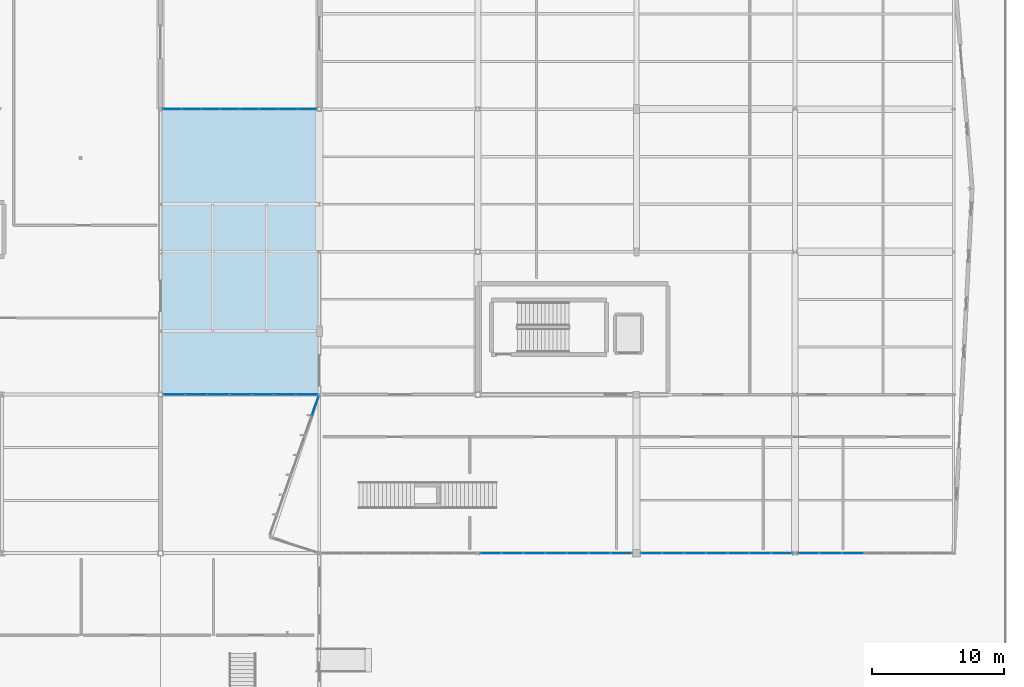
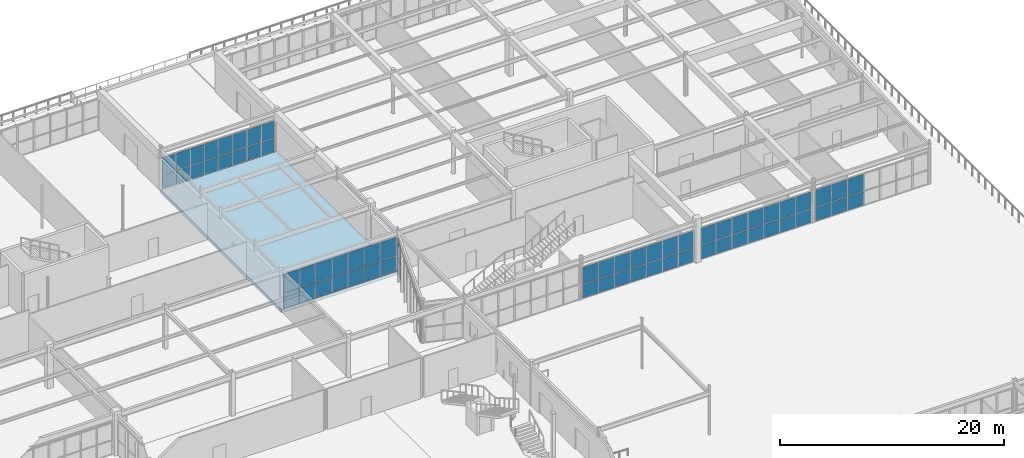
# One storey, part 126 of 199: 66 plates, 1 slab, 6 elements without a shape of their own.
"""IFC4 building model written with IfcOpenShell, lengths in metres."""

import ifcopenshell
import ifcopenshell.guid

model = None  # the IFC model being written
_history = None  # IfcOwnerHistory: only IFC2X3 demands one
_inside = {}  # id of a spatial element -> (the spatial element, [elements in it])
_under = {}  # id of a project, library or spatial element -> (it, [spatial elements below it])
_declared = {}  # id of a project -> (the project, [libraries it declares])
_typed = {}  # id of a type object -> (the type object, [elements of that type])
_made_of = {}  # id of a material, layer set ... -> (it, [elements and type objects made of it])


def new_model(schema):
    """Start an empty IFC model of exactly this schema.

    Asked for "IFC4X3", IfcOpenShell would pick the latest addendum, in which some entities
    have other attributes; the version numbers below select the first issue.
    IFC2X3 requires an IfcOwnerHistory on every rooted entity: one is made here for all.
    """
    global model, _history
    if schema == "IFC4X3":
        model = ifcopenshell.file(schema_version=(4, 3, 0, 0))
    else:
        model = ifcopenshell.file(schema=schema)
    _inside.clear()
    _under.clear()
    _declared.clear()
    _typed.clear()
    _made_of.clear()
    _history = None
    if model.schema == "IFC2X3":
        org = make("IfcOrganization", Name="unknown")
        user = make(
            "IfcPersonAndOrganization",
            ThePerson=make("IfcPerson", FamilyName="unknown"),
            TheOrganization=org,
        )
        app = make(
            "IfcApplication",
            ApplicationDeveloper=org,
            Version="unknown",
            ApplicationFullName="unknown",
            ApplicationIdentifier="unknown",
        )
        _history = make(
            "IfcOwnerHistory",
            OwningUser=user,
            OwningApplication=app,
            ChangeAction="ADDED",
            CreationDate=0,
        )
    return model


def make(cls, **values):
    """One entity of the class cls with the attributes given. An attribute that is None is left unset."""
    return model.create_entity(
        cls, **{name: value for name, value in values.items() if value is not None}
    )


def rooted(cls, **values):
    """An entity with a GlobalId (a new one), such as an element, a storey or a relation."""
    return make(cls, GlobalId=ifcopenshell.guid.new(), OwnerHistory=_history, **values)


def si_unit(unit_type, name, prefix=None):
    """IfcSIUnit, for example si_unit("LENGTHUNIT", "METRE", prefix="MILLI")."""
    return make("IfcSIUnit", UnitType=unit_type, Prefix=prefix, Name=name)


def assignment(units):
    """IfcUnitAssignment: the units of a project."""
    return None if units is None else make("IfcUnitAssignment", Units=units)


def point(xyz):
    """IfcCartesianPoint."""
    return None if xyz is None else make("IfcCartesianPoint", Coordinates=xyz)


def direction(xyz):
    """IfcDirection."""
    return None if xyz is None else make("IfcDirection", DirectionRatios=xyz)


def frame(location, z_axis=None, x_axis=None):
    """IfcAxis2Placement3D, a coordinate frame: its origin and axes. An axis left out is left unset."""
    return make(
        "IfcAxis2Placement3D",
        Location=point(location),
        Axis=direction(z_axis),
        RefDirection=direction(x_axis),
    )


def frame_2d(location, x_axis=None):
    """IfcAxis2Placement2D, a coordinate frame in the plane: its origin and x axis."""
    return make(
        "IfcAxis2Placement2D", Location=point(location), RefDirection=direction(x_axis)
    )


def origin():
    """The frame at (0, 0, 0) with its axes left unset."""
    return frame((0.0, 0.0, 0.0))


def origin_2d():
    """The frame at (0, 0) in the plane with its x axis left unset."""
    return frame_2d((0.0, 0.0))


def place(relative_to, where):
    """IfcLocalPlacement: puts the frame where relative to a parent placement (None: the world)."""
    return make(
        "IfcLocalPlacement", PlacementRelTo=relative_to, RelativePlacement=where
    )


def context(
    kind, dimensions, precision=None, world=None, true_north=None, identifier=None
):
    """IfcGeometricRepresentationContext, for example the 3D "Model" context."""
    return make(
        "IfcGeometricRepresentationContext",
        ContextIdentifier=identifier,
        ContextType=kind,
        CoordinateSpaceDimension=dimensions,
        Precision=precision,
        WorldCoordinateSystem=world,
        TrueNorth=true_north,
    )


def subcontext(parent, identifier, kind, view, scale=None):
    """IfcGeometricRepresentationSubContext, for example "Body" below "Model"."""
    return make(
        "IfcGeometricRepresentationSubContext",
        ContextIdentifier=identifier,
        ContextType=kind,
        ParentContext=parent,
        TargetScale=scale,
        TargetView=view,
    )


def project(units=None, contexts=None):
    """IfcProject with its units and contexts."""
    return rooted(
        "IfcProject",
        Name="project",
        RepresentationContexts=contexts,
        UnitsInContext=assignment(units),
    )


def spatial(cls, under=None, at=None, **own):
    """A site, building, storey or space (cls), placed at a placement, below another one or the project."""
    s = rooted(cls, ObjectPlacement=at, **own)
    if under is not None:
        _under.setdefault(under.id(), (under, []))[1].append(s)
    return s


def polyline(points):
    """IfcPolyline through the points."""
    return make("IfcPolyline", Points=[point(p) for p in points])


def profile(cls, at=None, kind="AREA", **sizes):
    """A parametric profile (cls). Its sizes go by their IFC names, for example OverallWidth=200.0."""
    return make(cls, ProfileType=kind, Position=at, **sizes)


def rectangle(**sizes):
    """IfcRectangleProfileDef."""
    return profile("IfcRectangleProfileDef", **sizes)


def outline(outer, holes=None, kind="AREA"):
    """IfcArbitraryClosedProfileDef: a profile drawn as a closed curve; with holes, ...WithVoids."""
    if holes is None:
        return make("IfcArbitraryClosedProfileDef", ProfileType=kind, OuterCurve=outer)
    return make(
        "IfcArbitraryProfileDefWithVoids",
        ProfileType=kind,
        OuterCurve=outer,
        InnerCurves=holes,
    )


def extrude(swept, where, along, depth):
    """IfcExtrudedAreaSolid: the profile swept, set in the frame where, extruded along a direction by depth."""
    return make(
        "IfcExtrudedAreaSolid",
        SweptArea=swept,
        Position=where,
        ExtrudedDirection=direction(along),
        Depth=depth,
    )


def shape(context_of_items, identifier, shape_type, items):
    """IfcShapeRepresentation: the items that make up one representation, for example the "Body"."""
    return make(
        "IfcShapeRepresentation",
        ContextOfItems=context_of_items,
        RepresentationIdentifier=identifier,
        RepresentationType=shape_type,
        Items=items,
    )


def material(Name=None, Category=None):
    """IfcMaterial."""
    return make("IfcMaterial", Name=Name, Category=Category)


def layer(
    of_material, thickness, ventilated=None, Name=None, Category=None, Priority=None
):
    """IfcMaterialLayer: one layer of a wall or slab, of a material (None: an air gap)."""
    return make(
        "IfcMaterialLayer",
        Material=of_material,
        LayerThickness=thickness,
        IsVentilated=ventilated,
        Name=Name,
        Category=Category,
        Priority=Priority,
    )


def layer_set(layers, Name=None):
    """IfcMaterialLayerSet."""
    return make("IfcMaterialLayerSet", MaterialLayers=layers, LayerSetName=Name)


def made_of(thing, what):
    """Note that an element or type object is made of a material, layer set ...; save() writes the relation."""
    if what is not None:
        _made_of.setdefault(what.id(), (what, []))[1].append(thing)
    return thing


def type_object(cls, material=None, **own):
    """A type object (cls), such as IfcWallType, which elements share."""
    return made_of(rooted(cls, **own), material)


def element(
    cls,
    number,
    at=None,
    inside=None,
    cuts=None,
    type_object=None,
    material=None,
    context=None,
    identifier="Body",
    shape_type=None,
    held_by="IfcProductDefinitionShape",
    body=None,
    shapes=None,
    **own,
):
    """One element of the class cls, such as IfcWall. Its Tag is "e" and its number.

    at: its placement. inside: the storey or other place that contains it. cuts: it is an
    opening in that element (IfcRelVoidsElement). A single representation is given by context,
    identifier, shape_type and body (its items); several are given by shapes. held_by: the class
    of the entity that holds the representations. save() writes the other relations.
    """
    e = rooted(cls, Tag="e%d" % number, ObjectPlacement=at, **own)
    if body is not None:
        shapes = [shape(context, identifier, shape_type, body)]
    if shapes is not None:
        e.Representation = make(held_by, Representations=shapes)
    if inside is not None:
        _inside.setdefault(inside.id(), (inside, []))[1].append(e)
    if cuts is not None:
        rooted(
            "IfcRelVoidsElement", RelatingBuildingElement=cuts, RelatedOpeningElement=e
        )
    if type_object is not None:
        _typed.setdefault(type_object.id(), (type_object, []))[1].append(e)
    return made_of(e, material)


def aggregate(whole, parts):
    """IfcRelAggregates: a whole, such as a stair, and the parts it consists of."""
    return rooted("IfcRelAggregates", RelatingObject=whole, RelatedObjects=parts)


def save(model, path):
    """Write the relations noted so far, then the file.

    IfcRelAggregates (storeys below a building ...), IfcRelContainedInSpatialStructure (elements
    in a storey), IfcRelDefinesByType, IfcRelAssociatesMaterial and IfcRelDeclares: one each for
    every whole, place, type object, material and project.
    """
    for whole, parts in _under.values():
        aggregate(whole, parts)
    for where, things in _inside.values():
        rooted(
            "IfcRelContainedInSpatialStructure",
            RelatedElements=things,
            RelatingStructure=where,
        )
    for kind, things in _typed.values():
        rooted("IfcRelDefinesByType", RelatedObjects=things, RelatingType=kind)
    for what, things in _made_of.values():
        rooted("IfcRelAssociatesMaterial", RelatedObjects=things, RelatingMaterial=what)
    for by, libraries in _declared.values():
        rooted("IfcRelDeclares", RelatingContext=by, RelatedDefinitions=libraries)
    model.write(path)


model = new_model("IFC4")

# Units and contexts
model_context = context("Model", 3, precision=1e-05, world=origin(), true_north=direction((0.0, 1.0)))
body_context = subcontext(model_context, "Body", "Model", "MODEL_VIEW")
ifc_project = project(units=[si_unit("LENGTHUNIT", "METRE"), si_unit("AREAUNIT", "SQUARE_METRE"), si_unit("VOLUMEUNIT", "CUBIC_METRE"), si_unit("PLANEANGLEUNIT", "RADIAN"), si_unit("MASSUNIT", "GRAM", prefix="KILO")], contexts=[model_context])

# Site, building, storey
site_placement = place(None, origin())
site = spatial("IfcSite", under=ifc_project, at=site_placement, CompositionType="ELEMENT")
building_placement = place(site_placement, origin())
building = spatial("IfcBuilding", under=site, at=building_placement, Name="Tarnwether General Hospital", CompositionType="ELEMENT")
storey_placement = place(building_placement, origin())
storey = spatial("IfcBuildingStorey", under=building, at=storey_placement, Name="L00", CompositionType="ELEMENT", Elevation=0.0)

# Curtain wall, plates
ifc_material_1 = material(Name="Anodised aluminium", Category="aluminium")
ifc_layer_1 = layer(ifc_material_1, 0.159912109375)
ifc_layer_set_1 = layer_set([ifc_layer_1], Name="Anodised aluminium")
curtain_wall_type_1 = type_object("IfcCurtainWallType", Name="CW-20", PredefinedType="NOTDEFINED", material=ifc_layer_set_1)
curtain_wall_1_placement = place(storey_placement, origin())
curtain_wall_1 = element("IfcCurtainWall", 1, at=curtain_wall_1_placement, inside=storey, type_object=curtain_wall_type_1, Name="Curtain Wall CWG-L00-1919_816-0290", PredefinedType="NOTDEFINED")
ifc_material_2 = material(Name="Double glazed low-E glass", Category="glass")
ifc_layer_2 = layer(ifc_material_2, 0.028076171875)
ifc_layer_set_2 = layer_set([ifc_layer_2], Name="Double glazed low-E glass")
plate_type = type_object("IfcPlateType", Name="PT-CWP1", PredefinedType="CURTAIN_PANEL", material=ifc_layer_set_2)
plate_1_placement = place(storey_placement, frame((184.36376953125, 81.60009765625, 0.06005859375), z_axis=(0.0, 0.0, 1.0), x_axis=(-1.0, 0.0, 0.0)))
plate_1 = element("IfcPlate", 2, at=plate_1_placement, type_object=plate_type, Name="CW-20 panel 5.1", PredefinedType="CURTAIN_PANEL", context=body_context, shape_type="SweptSolid", body=[
    extrude(rectangle(XDim=1.6181640625, YDim=0.028076171875, at=origin_2d()), origin(), (0.0, 0.0, 1.0), 1.49853515625),
])
plate_2_placement = place(storey_placement, frame((184.36376953125, 81.60009765625, 1.618408203125), z_axis=(0.0, 0.0, 1.0), x_axis=(-1.0, 0.0, 0.0)))
plate_2 = element("IfcPlate", 3, at=plate_2_placement, type_object=plate_type, Name="CW-20 panel 5.2", PredefinedType="CURTAIN_PANEL", context=body_context, shape_type="SweptSolid", body=[
    extrude(rectangle(XDim=1.6181640625, YDim=0.028076171875, at=origin_2d()), origin(), (0.0, 0.0, 1.0), 1.8515625),
])
plate_3_placement = place(storey_placement, frame((182.685546875, 81.60009765625, 0.06005859375), z_axis=(0.0, 0.0, 1.0), x_axis=(-1.0, 0.0, 0.0)))
plate_3 = element("IfcPlate", 4, at=plate_3_placement, type_object=plate_type, Name="CW-20 panel 6.1", PredefinedType="CURTAIN_PANEL", context=body_context, shape_type="SweptSolid", body=[
    extrude(rectangle(XDim=1.6181640625, YDim=0.028076171875, at=origin_2d()), origin(), (0.0, 0.0, 1.0), 1.49853515625),
])
plate_4_placement = place(storey_placement, frame((182.685546875, 81.60009765625, 1.618408203125), z_axis=(0.0, 0.0, 1.0), x_axis=(-1.0, 0.0, 0.0)))
plate_4 = element("IfcPlate", 5, at=plate_4_placement, type_object=plate_type, Name="CW-20 panel 6.2", PredefinedType="CURTAIN_PANEL", context=body_context, shape_type="SweptSolid", body=[
    extrude(rectangle(XDim=1.6181640625, YDim=0.028076171875, at=origin_2d()), origin(), (0.0, 0.0, 1.0), 1.8515625),
])
plate_5_placement = place(storey_placement, frame((181.022216796875, 81.60009765625, 0.06005859375), z_axis=(0.0, 0.0, 1.0), x_axis=(-1.0, 0.0, 0.0)))
plate_5 = element("IfcPlate", 6, at=plate_5_placement, type_object=plate_type, Name="CW-20 panel 7.1", PredefinedType="CURTAIN_PANEL", context=body_context, shape_type="SweptSolid", body=[
    extrude(rectangle(XDim=1.58837890625, YDim=0.028076171875, at=origin_2d()), origin(), (0.0, 0.0, 1.0), 1.49853515625),
])
plate_6_placement = place(storey_placement, frame((181.022216796875, 81.60009765625, 1.618408203125), z_axis=(0.0, 0.0, 1.0), x_axis=(-1.0, 0.0, 0.0)))
plate_6 = element("IfcPlate", 7, at=plate_6_placement, type_object=plate_type, Name="CW-20 panel 7.2", PredefinedType="CURTAIN_PANEL", context=body_context, shape_type="SweptSolid", body=[
    extrude(rectangle(XDim=1.58837890625, YDim=0.028076171875, at=origin_2d()), origin(), (0.0, 0.0, 1.0), 1.8515625),
])
aggregate(curtain_wall_1, [plate_1, plate_2, plate_3, plate_4, plate_5, plate_6])

curtain_wall_2_placement = place(storey_placement, origin())
curtain_wall_2 = element("IfcCurtainWall", 8, at=curtain_wall_2_placement, inside=storey, type_object=curtain_wall_type_1, Name="Curtain Wall CWG-L00-1798_816-0291", PredefinedType="NOTDEFINED")
plate_7_placement = place(storey_placement, frame((178.993896484375, 81.60009765625, 0.06005859375), z_axis=(0.0, 0.0, 1.0), x_axis=(-1.0, 0.0, 0.0)))
plate_7 = element("IfcPlate", 9, at=plate_7_placement, type_object=plate_type, Name="CW-20 panel 1.1", PredefinedType="CURTAIN_PANEL", context=body_context, shape_type="SweptSolid", body=[
    extrude(rectangle(XDim=1.556396484375, YDim=0.028076171875, at=origin_2d()), origin(), (0.0, 0.0, 1.0), 1.47607421875),
])
plate_8_placement = place(storey_placement, frame((178.993896484375, 81.60009765625, 1.59619140625), z_axis=(0.0, 0.0, 1.0), x_axis=(-1.0, 0.0, 0.0)))
plate_8 = element("IfcPlate", 10, at=plate_8_placement, type_object=plate_type, Name="CW-20 panel 1.2", PredefinedType="CURTAIN_PANEL", context=body_context, shape_type="SweptSolid", body=[
    extrude(rectangle(XDim=1.556396484375, YDim=0.028076171875, at=origin_2d()), origin(), (0.0, 0.0, 1.0), 1.823974609375),
])
plate_9_placement = place(storey_placement, frame((177.362548828125, 81.60009765625, 0.06005859375), z_axis=(0.0, 0.0, 1.0), x_axis=(-1.0, 0.0, 0.0)))
plate_9 = element("IfcPlate", 11, at=plate_9_placement, type_object=plate_type, Name="CW-20 panel 2.1", PredefinedType="CURTAIN_PANEL", context=body_context, shape_type="SweptSolid", body=[
    extrude(rectangle(XDim=1.586181640625, YDim=0.028076171875, at=origin_2d()), origin(), (0.0, 0.0, 1.0), 1.47607421875),
])
plate_10_placement = place(storey_placement, frame((177.362548828125, 81.60009765625, 1.59619140625), z_axis=(0.0, 0.0, 1.0), x_axis=(-1.0, 0.0, 0.0)))
plate_10 = element("IfcPlate", 12, at=plate_10_placement, type_object=plate_type, Name="CW-20 panel 2.2", PredefinedType="CURTAIN_PANEL", context=body_context, shape_type="SweptSolid", body=[
    extrude(rectangle(XDim=1.586181640625, YDim=0.028076171875, at=origin_2d()), origin(), (0.0, 0.0, 1.0), 1.823974609375),
])
plate_11_placement = place(storey_placement, frame((175.71630859375, 81.60009765625, 0.06005859375), z_axis=(0.0, 0.0, 1.0), x_axis=(-1.0, 0.0, 0.0)))
plate_11 = element("IfcPlate", 13, at=plate_11_placement, type_object=plate_type, Name="CW-20 panel 3.1", PredefinedType="CURTAIN_PANEL", context=body_context, shape_type="SweptSolid", body=[
    extrude(rectangle(XDim=1.586181640625, YDim=0.028076171875, at=origin_2d()), origin(), (0.0, 0.0, 1.0), 1.47607421875),
])
plate_12_placement = place(storey_placement, frame((175.71630859375, 81.60009765625, 1.59619140625), z_axis=(0.0, 0.0, 1.0), x_axis=(-1.0, 0.0, 0.0)))
plate_12 = element("IfcPlate", 14, at=plate_12_placement, type_object=plate_type, Name="CW-20 panel 3.2", PredefinedType="CURTAIN_PANEL", context=body_context, shape_type="SweptSolid", body=[
    extrude(rectangle(XDim=1.586181640625, YDim=0.028076171875, at=origin_2d()), origin(), (0.0, 0.0, 1.0), 1.823974609375),
])
plate_13_placement = place(storey_placement, frame((174.070068359375, 81.60009765625, 0.06005859375), z_axis=(0.0, 0.0, 1.0), x_axis=(-1.0, 0.0, 0.0)))
plate_13 = element("IfcPlate", 15, at=plate_13_placement, type_object=plate_type, Name="CW-20 panel 4.1", PredefinedType="CURTAIN_PANEL", context=body_context, shape_type="SweptSolid", body=[
    extrude(rectangle(XDim=1.586181640625, YDim=0.028076171875, at=origin_2d()), origin(), (0.0, 0.0, 1.0), 1.47607421875),
])
plate_14_placement = place(storey_placement, frame((174.070068359375, 81.60009765625, 1.59619140625), z_axis=(0.0, 0.0, 1.0), x_axis=(-1.0, 0.0, 0.0)))
plate_14 = element("IfcPlate", 16, at=plate_14_placement, type_object=plate_type, Name="CW-20 panel 4.2", PredefinedType="CURTAIN_PANEL", context=body_context, shape_type="SweptSolid", body=[
    extrude(rectangle(XDim=1.586181640625, YDim=0.028076171875, at=origin_2d()), origin(), (0.0, 0.0, 1.0), 1.823974609375),
])
plate_15_placement = place(storey_placement, frame((172.423828125, 81.60009765625, 0.06005859375), z_axis=(0.0, 0.0, 1.0), x_axis=(-1.0, 0.0, 0.0)))
plate_15 = element("IfcPlate", 17, at=plate_15_placement, type_object=plate_type, Name="CW-20 panel 5.1", PredefinedType="CURTAIN_PANEL", context=body_context, shape_type="SweptSolid", body=[
    extrude(rectangle(XDim=1.586181640625, YDim=0.028076171875, at=origin_2d()), origin(), (0.0, 0.0, 1.0), 1.47607421875),
])
plate_16_placement = place(storey_placement, frame((172.423828125, 81.60009765625, 1.59619140625), z_axis=(0.0, 0.0, 1.0), x_axis=(-1.0, 0.0, 0.0)))
plate_16 = element("IfcPlate", 18, at=plate_16_placement, type_object=plate_type, Name="CW-20 panel 5.2", PredefinedType="CURTAIN_PANEL", context=body_context, shape_type="SweptSolid", body=[
    extrude(rectangle(XDim=1.586181640625, YDim=0.028076171875, at=origin_2d()), origin(), (0.0, 0.0, 1.0), 1.823974609375),
])
plate_17_placement = place(storey_placement, frame((170.77734375, 81.60009765625, 0.06005859375), z_axis=(0.0, 0.0, 1.0), x_axis=(-1.0, 0.0, 0.0)))
plate_17 = element("IfcPlate", 19, at=plate_17_placement, type_object=plate_type, Name="CW-20 panel 6.1", PredefinedType="CURTAIN_PANEL", context=body_context, shape_type="SweptSolid", body=[
    extrude(rectangle(XDim=1.586181640625, YDim=0.028076171875, at=origin_2d()), origin(), (0.0, 0.0, 1.0), 1.47607421875),
])
plate_18_placement = place(storey_placement, frame((170.77734375, 81.60009765625, 1.59619140625), z_axis=(0.0, 0.0, 1.0), x_axis=(-1.0, 0.0, 0.0)))
plate_18 = element("IfcPlate", 20, at=plate_18_placement, type_object=plate_type, Name="CW-20 panel 6.2", PredefinedType="CURTAIN_PANEL", context=body_context, shape_type="SweptSolid", body=[
    extrude(rectangle(XDim=1.586181640625, YDim=0.028076171875, at=origin_2d()), origin(), (0.0, 0.0, 1.0), 1.823974609375),
])
plate_19_placement = place(storey_placement, frame((169.146240234375, 81.60009765625, 0.06005859375), z_axis=(0.0, 0.0, 1.0), x_axis=(-1.0, 0.0, 0.0)))
plate_19 = element("IfcPlate", 21, at=plate_19_placement, type_object=plate_type, Name="CW-20 panel 7.1", PredefinedType="CURTAIN_PANEL", context=body_context, shape_type="SweptSolid", body=[
    extrude(rectangle(XDim=1.556396484375, YDim=0.028076171875, at=origin_2d()), origin(), (0.0, 0.0, 1.0), 1.47607421875),
])
plate_20_placement = place(storey_placement, frame((169.146240234375, 81.60009765625, 1.59619140625), z_axis=(0.0, 0.0, 1.0), x_axis=(-1.0, 0.0, 0.0)))
plate_20 = element("IfcPlate", 22, at=plate_20_placement, type_object=plate_type, Name="CW-20 panel 7.2", PredefinedType="CURTAIN_PANEL", context=body_context, shape_type="SweptSolid", body=[
    extrude(rectangle(XDim=1.556396484375, YDim=0.028076171875, at=origin_2d()), origin(), (0.0, 0.0, 1.0), 1.823974609375),
])
aggregate(curtain_wall_2, [plate_7, plate_8, plate_9, plate_10, plate_11, plate_12, plate_13, plate_14, plate_15, plate_16, plate_17, plate_18, plate_19, plate_20])

curtain_wall_3_placement = place(storey_placement, origin())
curtain_wall_3 = element("IfcCurtainWall", 23, at=curtain_wall_3_placement, inside=storey, type_object=curtain_wall_type_1, Name="Curtain Wall CWG-L00-1677_816-0292", PredefinedType="NOTDEFINED")
plate_21_placement = place(storey_placement, frame((166.851806640625, 81.60009765625, 0.06005859375), z_axis=(0.0, 0.0, 1.0), x_axis=(-1.0, 0.0, 0.0)))
plate_21 = element("IfcPlate", 24, at=plate_21_placement, type_object=plate_type, Name="CW-20 panel 1.1", PredefinedType="CURTAIN_PANEL", context=body_context, shape_type="SweptSolid", body=[
    extrude(rectangle(XDim=1.560546875, YDim=0.028076171875, at=origin_2d()), origin(), (0.0, 0.0, 1.0), 1.47607421875),
])
plate_22_placement = place(storey_placement, frame((166.851806640625, 81.60009765625, 1.59619140625), z_axis=(0.0, 0.0, 1.0), x_axis=(-1.0, 0.0, 0.0)))
plate_22 = element("IfcPlate", 25, at=plate_22_placement, type_object=plate_type, Name="CW-20 panel 1.2", PredefinedType="CURTAIN_PANEL", context=body_context, shape_type="SweptSolid", body=[
    extrude(rectangle(XDim=1.560546875, YDim=0.028076171875, at=origin_2d()), origin(), (0.0, 0.0, 1.0), 1.823974609375),
])
plate_23_placement = place(storey_placement, frame((165.216064453125, 81.60009765625, 0.06005859375), z_axis=(0.0, 0.0, 1.0), x_axis=(-1.0, 0.0, 0.0)))
plate_23 = element("IfcPlate", 26, at=plate_23_placement, type_object=plate_type, Name="CW-20 panel 2.1", PredefinedType="CURTAIN_PANEL", context=body_context, shape_type="SweptSolid", body=[
    extrude(rectangle(XDim=1.590576171875, YDim=0.028076171875, at=origin_2d()), origin(), (0.0, 0.0, 1.0), 1.47607421875),
])
plate_24_placement = place(storey_placement, frame((165.216064453125, 81.60009765625, 1.59619140625), z_axis=(0.0, 0.0, 1.0), x_axis=(-1.0, 0.0, 0.0)))
plate_24 = element("IfcPlate", 27, at=plate_24_placement, type_object=plate_type, Name="CW-20 panel 2.2", PredefinedType="CURTAIN_PANEL", context=body_context, shape_type="SweptSolid", body=[
    extrude(rectangle(XDim=1.590576171875, YDim=0.028076171875, at=origin_2d()), origin(), (0.0, 0.0, 1.0), 1.823974609375),
])
plate_25_placement = place(storey_placement, frame((163.565673828125, 81.60009765625, 0.06005859375), z_axis=(0.0, 0.0, 1.0), x_axis=(-1.0, 0.0, 0.0)))
plate_25 = element("IfcPlate", 28, at=plate_25_placement, type_object=plate_type, Name="CW-20 panel 3.1", PredefinedType="CURTAIN_PANEL", context=body_context, shape_type="SweptSolid", body=[
    extrude(rectangle(XDim=1.590576171875, YDim=0.028076171875, at=origin_2d()), origin(), (0.0, 0.0, 1.0), 1.47607421875),
])
plate_26_placement = place(storey_placement, frame((163.565673828125, 81.60009765625, 1.59619140625), z_axis=(0.0, 0.0, 1.0), x_axis=(-1.0, 0.0, 0.0)))
plate_26 = element("IfcPlate", 29, at=plate_26_placement, type_object=plate_type, Name="CW-20 panel 3.2", PredefinedType="CURTAIN_PANEL", context=body_context, shape_type="SweptSolid", body=[
    extrude(rectangle(XDim=1.590576171875, YDim=0.028076171875, at=origin_2d()), origin(), (0.0, 0.0, 1.0), 1.823974609375),
])
plate_27_placement = place(storey_placement, frame((161.9150390625, 81.60009765625, 0.06005859375), z_axis=(0.0, 0.0, 1.0), x_axis=(-1.0, 0.0, 0.0)))
plate_27 = element("IfcPlate", 30, at=plate_27_placement, type_object=plate_type, Name="CW-20 panel 4.1", PredefinedType="CURTAIN_PANEL", context=body_context, shape_type="SweptSolid", body=[
    extrude(rectangle(XDim=1.590576171875, YDim=0.028076171875, at=origin_2d()), origin(), (0.0, 0.0, 1.0), 1.47607421875),
])
plate_28_placement = place(storey_placement, frame((161.9150390625, 81.60009765625, 1.59619140625), z_axis=(0.0, 0.0, 1.0), x_axis=(-1.0, 0.0, 0.0)))
plate_28 = element("IfcPlate", 31, at=plate_28_placement, type_object=plate_type, Name="CW-20 panel 4.2", PredefinedType="CURTAIN_PANEL", context=body_context, shape_type="SweptSolid", body=[
    extrude(rectangle(XDim=1.590576171875, YDim=0.028076171875, at=origin_2d()), origin(), (0.0, 0.0, 1.0), 1.823974609375),
])
plate_29_placement = place(storey_placement, frame((160.264404296875, 81.60009765625, 0.06005859375), z_axis=(0.0, 0.0, 1.0), x_axis=(-1.0, 0.0, 0.0)))
plate_29 = element("IfcPlate", 32, at=plate_29_placement, type_object=plate_type, Name="CW-20 panel 5.1", PredefinedType="CURTAIN_PANEL", context=body_context, shape_type="SweptSolid", body=[
    extrude(rectangle(XDim=1.590576171875, YDim=0.028076171875, at=origin_2d()), origin(), (0.0, 0.0, 1.0), 1.47607421875),
])
plate_30_placement = place(storey_placement, frame((160.264404296875, 81.60009765625, 1.59619140625), z_axis=(0.0, 0.0, 1.0), x_axis=(-1.0, 0.0, 0.0)))
plate_30 = element("IfcPlate", 33, at=plate_30_placement, type_object=plate_type, Name="CW-20 panel 5.2", PredefinedType="CURTAIN_PANEL", context=body_context, shape_type="SweptSolid", body=[
    extrude(rectangle(XDim=1.590576171875, YDim=0.028076171875, at=origin_2d()), origin(), (0.0, 0.0, 1.0), 1.823974609375),
])
plate_31_placement = place(storey_placement, frame((158.61376953125, 81.60009765625, 0.06005859375), z_axis=(0.0, 0.0, 1.0), x_axis=(-1.0, 0.0, 0.0)))
plate_31 = element("IfcPlate", 34, at=plate_31_placement, type_object=plate_type, Name="CW-20 panel 6.1", PredefinedType="CURTAIN_PANEL", context=body_context, shape_type="SweptSolid", body=[
    extrude(rectangle(XDim=1.590576171875, YDim=0.028076171875, at=origin_2d()), origin(), (0.0, 0.0, 1.0), 1.47607421875),
])
plate_32_placement = place(storey_placement, frame((158.61376953125, 81.60009765625, 1.59619140625), z_axis=(0.0, 0.0, 1.0), x_axis=(-1.0, 0.0, 0.0)))
plate_32 = element("IfcPlate", 35, at=plate_32_placement, type_object=plate_type, Name="CW-20 panel 6.2", PredefinedType="CURTAIN_PANEL", context=body_context, shape_type="SweptSolid", body=[
    extrude(rectangle(XDim=1.590576171875, YDim=0.028076171875, at=origin_2d()), origin(), (0.0, 0.0, 1.0), 1.823974609375),
])
plate_33_placement = place(storey_placement, frame((156.978271484375, 81.60009765625, 0.06005859375), z_axis=(0.0, 0.0, 1.0), x_axis=(-1.0, 0.0, 0.0)))
plate_33 = element("IfcPlate", 36, at=plate_33_placement, type_object=plate_type, Name="CW-20 panel 7.1", PredefinedType="CURTAIN_PANEL", context=body_context, shape_type="SweptSolid", body=[
    extrude(rectangle(XDim=1.560546875, YDim=0.028076171875, at=origin_2d()), origin(), (0.0, 0.0, 1.0), 1.47607421875),
])
plate_34_placement = place(storey_placement, frame((156.978271484375, 81.60009765625, 1.59619140625), z_axis=(0.0, 0.0, 1.0), x_axis=(-1.0, 0.0, 0.0)))
plate_34 = element("IfcPlate", 37, at=plate_34_placement, type_object=plate_type, Name="CW-20 panel 7.2", PredefinedType="CURTAIN_PANEL", context=body_context, shape_type="SweptSolid", body=[
    extrude(rectangle(XDim=1.560546875, YDim=0.028076171875, at=origin_2d()), origin(), (0.0, 0.0, 1.0), 1.823974609375),
])
aggregate(curtain_wall_3, [plate_21, plate_22, plate_23, plate_24, plate_25, plate_26, plate_27, plate_28, plate_29, plate_30, plate_31, plate_32, plate_33, plate_34])

curtain_wall_4_placement = place(storey_placement, origin())
curtain_wall_4 = element("IfcCurtainWall", 38, at=curtain_wall_4_placement, inside=storey, type_object=curtain_wall_type_1, Name="Curtain Wall CWG-L00-1403_830-0297", PredefinedType="NOTDEFINED")
plate_35_placement = place(storey_placement, frame((143.69482421875, 92.731201171875, 0.06005859375), z_axis=(0.0, 0.0, 1.0), x_axis=(0.331937273151, 0.943301461195, 0.0)))
plate_35 = element("IfcPlate", 39, at=plate_35_placement, type_object=plate_type, Name="CW-20 panel 7.1", PredefinedType="CURTAIN_PANEL", context=body_context, shape_type="SweptSolid", body=[
    extrude(rectangle(XDim=1.50146484375, YDim=0.028076171875, at=origin_2d()), origin(), (0.0, 0.0, 1.0), 1.66357421875),
])
plate_36_placement = place(storey_placement, frame((143.69482421875, 92.731201171875, 1.78369140625), z_axis=(0.0, 0.0, 1.0), x_axis=(0.331937273151, 0.943301461195, 0.0)))
plate_36 = element("IfcPlate", 40, at=plate_36_placement, type_object=plate_type, Name="CW-20 panel 7.2", PredefinedType="CURTAIN_PANEL", context=body_context, shape_type="SweptSolid", body=[
    extrude(rectangle(XDim=1.50146484375, YDim=0.028076171875, at=origin_2d()), origin(), (0.0, 0.0, 1.0), 2.053466796875),
])
aggregate(curtain_wall_4, [plate_35, plate_36])

ifc_material_3 = material(Name="Anodised aluminium", Category="aluminium")
ifc_layer_3 = layer(ifc_material_3, 0.159912109375)
ifc_layer_set_3 = layer_set([ifc_layer_3], Name="Anodised aluminium")
curtain_wall_type_2 = type_object("IfcCurtainWallType", Name="CW-09", PredefinedType="NOTDEFINED", material=ifc_layer_set_3)
curtain_wall_5_placement = place(storey_placement, origin())
curtain_wall_5 = element("IfcCurtainWall", 41, at=curtain_wall_5_placement, inside=storey, type_object=curtain_wall_type_2, Name="Curtain Wall CWG-L00-1321_1152-0315", PredefinedType="NOTDEFINED")
plate_37_placement = place(storey_placement, frame((132.86572265625, 115.199951171875, 0.06005859375), z_axis=(0.0, 0.0, 1.0), x_axis=(1.0, 0.0, 0.0)))
plate_37 = element("IfcPlate", 42, at=plate_37_placement, type_object=plate_type, Name="CW-09 panel 1.1", PredefinedType="CURTAIN_PANEL", context=body_context, shape_type="SweptSolid", body=[
    extrude(rectangle(XDim=1.37548828125, YDim=0.028076171875, at=origin_2d()), origin(), (0.0, 0.0, 1.0), 1.47607421875),
])
plate_38_placement = place(storey_placement, frame((132.86572265625, 115.199951171875, 1.59619140625), z_axis=(0.0, 0.0, 1.0), x_axis=(1.0, 0.0, 0.0)))
plate_38 = element("IfcPlate", 43, at=plate_38_placement, type_object=plate_type, Name="CW-09 panel 1.2", PredefinedType="CURTAIN_PANEL", context=body_context, shape_type="SweptSolid", body=[
    extrude(rectangle(XDim=1.37548828125, YDim=0.028076171875, at=origin_2d()), origin(), (0.0, 0.0, 1.0), 1.823974609375),
])
plate_39_placement = place(storey_placement, frame((134.316162109375, 115.199951171875, 0.06005859375), z_axis=(0.0, 0.0, 1.0), x_axis=(1.0, 0.0, 0.0)))
plate_39 = element("IfcPlate", 44, at=plate_39_placement, type_object=plate_type, Name="CW-09 panel 2.1", PredefinedType="CURTAIN_PANEL", context=body_context, shape_type="SweptSolid", body=[
    extrude(rectangle(XDim=1.405517578125, YDim=0.028076171875, at=origin_2d()), origin(), (0.0, 0.0, 1.0), 1.47607421875),
])
plate_40_placement = place(storey_placement, frame((134.316162109375, 115.199951171875, 1.59619140625), z_axis=(0.0, 0.0, 1.0), x_axis=(1.0, 0.0, 0.0)))
plate_40 = element("IfcPlate", 45, at=plate_40_placement, type_object=plate_type, Name="CW-09 panel 2.2", PredefinedType="CURTAIN_PANEL", context=body_context, shape_type="SweptSolid", body=[
    extrude(rectangle(XDim=1.405517578125, YDim=0.028076171875, at=origin_2d()), origin(), (0.0, 0.0, 1.0), 1.823974609375),
])
plate_41_placement = place(storey_placement, frame((135.78173828125, 115.199951171875, 0.06005859375), z_axis=(0.0, 0.0, 1.0), x_axis=(1.0, 0.0, 0.0)))
plate_41 = element("IfcPlate", 46, at=plate_41_placement, type_object=plate_type, Name="CW-09 panel 3.1", PredefinedType="CURTAIN_PANEL", context=body_context, shape_type="SweptSolid", body=[
    extrude(rectangle(XDim=1.405517578125, YDim=0.028076171875, at=origin_2d()), origin(), (0.0, 0.0, 1.0), 1.47607421875),
])
plate_42_placement = place(storey_placement, frame((135.78173828125, 115.199951171875, 1.59619140625), z_axis=(0.0, 0.0, 1.0), x_axis=(1.0, 0.0, 0.0)))
plate_42 = element("IfcPlate", 47, at=plate_42_placement, type_object=plate_type, Name="CW-09 panel 3.2", PredefinedType="CURTAIN_PANEL", context=body_context, shape_type="SweptSolid", body=[
    extrude(rectangle(XDim=1.405517578125, YDim=0.028076171875, at=origin_2d()), origin(), (0.0, 0.0, 1.0), 1.823974609375),
])
plate_43_placement = place(storey_placement, frame((137.247314453125, 115.199951171875, 0.06005859375), z_axis=(0.0, 0.0, 1.0), x_axis=(1.0, 0.0, 0.0)))
plate_43 = element("IfcPlate", 48, at=plate_43_placement, type_object=plate_type, Name="CW-09 panel 4.1", PredefinedType="CURTAIN_PANEL", context=body_context, shape_type="SweptSolid", body=[
    extrude(rectangle(XDim=1.405517578125, YDim=0.028076171875, at=origin_2d()), origin(), (0.0, 0.0, 1.0), 1.47607421875),
])
plate_44_placement = place(storey_placement, frame((137.247314453125, 115.199951171875, 1.59619140625), z_axis=(0.0, 0.0, 1.0), x_axis=(1.0, 0.0, 0.0)))
plate_44 = element("IfcPlate", 49, at=plate_44_placement, type_object=plate_type, Name="CW-09 panel 4.2", PredefinedType="CURTAIN_PANEL", context=body_context, shape_type="SweptSolid", body=[
    extrude(rectangle(XDim=1.405517578125, YDim=0.028076171875, at=origin_2d()), origin(), (0.0, 0.0, 1.0), 1.823974609375),
])
plate_45_placement = place(storey_placement, frame((138.712646484375, 115.199951171875, 0.06005859375), z_axis=(0.0, 0.0, 1.0), x_axis=(1.0, 0.0, 0.0)))
plate_45 = element("IfcPlate", 50, at=plate_45_placement, type_object=plate_type, Name="CW-09 panel 5.1", PredefinedType="CURTAIN_PANEL", context=body_context, shape_type="SweptSolid", body=[
    extrude(rectangle(XDim=1.405517578125, YDim=0.028076171875, at=origin_2d()), origin(), (0.0, 0.0, 1.0), 1.47607421875),
])
plate_46_placement = place(storey_placement, frame((138.712646484375, 115.199951171875, 1.59619140625), z_axis=(0.0, 0.0, 1.0), x_axis=(1.0, 0.0, 0.0)))
plate_46 = element("IfcPlate", 51, at=plate_46_placement, type_object=plate_type, Name="CW-09 panel 5.2", PredefinedType="CURTAIN_PANEL", context=body_context, shape_type="SweptSolid", body=[
    extrude(rectangle(XDim=1.405517578125, YDim=0.028076171875, at=origin_2d()), origin(), (0.0, 0.0, 1.0), 1.823974609375),
])
plate_47_placement = place(storey_placement, frame((140.17822265625, 115.199951171875, 0.06005859375), z_axis=(0.0, 0.0, 1.0), x_axis=(1.0, 0.0, 0.0)))
plate_47 = element("IfcPlate", 52, at=plate_47_placement, type_object=plate_type, Name="CW-09 panel 6.1", PredefinedType="CURTAIN_PANEL", context=body_context, shape_type="SweptSolid", body=[
    extrude(rectangle(XDim=1.405517578125, YDim=0.028076171875, at=origin_2d()), origin(), (0.0, 0.0, 1.0), 1.47607421875),
])
plate_48_placement = place(storey_placement, frame((140.17822265625, 115.199951171875, 1.59619140625), z_axis=(0.0, 0.0, 1.0), x_axis=(1.0, 0.0, 0.0)))
plate_48 = element("IfcPlate", 53, at=plate_48_placement, type_object=plate_type, Name="CW-09 panel 6.2", PredefinedType="CURTAIN_PANEL", context=body_context, shape_type="SweptSolid", body=[
    extrude(rectangle(XDim=1.405517578125, YDim=0.028076171875, at=origin_2d()), origin(), (0.0, 0.0, 1.0), 1.823974609375),
])
plate_49_placement = place(storey_placement, frame((141.643798828125, 115.199951171875, 0.06005859375), z_axis=(0.0, 0.0, 1.0), x_axis=(1.0, 0.0, 0.0)))
plate_49 = element("IfcPlate", 54, at=plate_49_placement, type_object=plate_type, Name="CW-09 panel 7.1", PredefinedType="CURTAIN_PANEL", context=body_context, shape_type="SweptSolid", body=[
    extrude(rectangle(XDim=1.405517578125, YDim=0.028076171875, at=origin_2d()), origin(), (0.0, 0.0, 1.0), 1.47607421875),
])
plate_50_placement = place(storey_placement, frame((141.643798828125, 115.199951171875, 1.59619140625), z_axis=(0.0, 0.0, 1.0), x_axis=(1.0, 0.0, 0.0)))
plate_50 = element("IfcPlate", 55, at=plate_50_placement, type_object=plate_type, Name="CW-09 panel 7.2", PredefinedType="CURTAIN_PANEL", context=body_context, shape_type="SweptSolid", body=[
    extrude(rectangle(XDim=1.405517578125, YDim=0.028076171875, at=origin_2d()), origin(), (0.0, 0.0, 1.0), 1.823974609375),
])
plate_51_placement = place(storey_placement, frame((143.09423828125, 115.199951171875, 0.06005859375), z_axis=(0.0, 0.0, 1.0), x_axis=(1.0, 0.0, 0.0)))
plate_51 = element("IfcPlate", 56, at=plate_51_placement, type_object=plate_type, Name="CW-09 panel 8.1", PredefinedType="CURTAIN_PANEL", context=body_context, shape_type="SweptSolid", body=[
    extrude(rectangle(XDim=1.37548828125, YDim=0.028076171875, at=origin_2d()), origin(), (0.0, 0.0, 1.0), 1.47607421875),
])
plate_52_placement = place(storey_placement, frame((143.09423828125, 115.199951171875, 1.59619140625), z_axis=(0.0, 0.0, 1.0), x_axis=(1.0, 0.0, 0.0)))
plate_52 = element("IfcPlate", 57, at=plate_52_placement, type_object=plate_type, Name="CW-09 panel 8.2", PredefinedType="CURTAIN_PANEL", context=body_context, shape_type="SweptSolid", body=[
    extrude(rectangle(XDim=1.37548828125, YDim=0.028076171875, at=origin_2d()), origin(), (0.0, 0.0, 1.0), 1.823974609375),
])
aggregate(curtain_wall_5, [plate_37, plate_38, plate_39, plate_40, plate_41, plate_42, plate_43, plate_44, plate_45, plate_46, plate_47, plate_48, plate_49, plate_50, plate_51, plate_52])

ifc_material_4 = material(Name="Anodised aluminium", Category="aluminium")
ifc_layer_4 = layer(ifc_material_4, 0.159912109375)
ifc_layer_set_4 = layer_set([ifc_layer_4], Name="Anodised aluminium")
curtain_wall_type_3 = type_object("IfcCurtainWallType", Name="CW-10", PredefinedType="NOTDEFINED", material=ifc_layer_set_4)
curtain_wall_6_placement = place(storey_placement, origin())
curtain_wall_6 = element("IfcCurtainWall", 58, at=curtain_wall_6_placement, inside=storey, type_object=curtain_wall_type_3, Name="Curtain Wall CWG-L00-1439_936-0316", PredefinedType="NOTDEFINED")
plate_53_placement = place(storey_placement, frame((143.062255859375, 93.60009765625, 0.06005859375), z_axis=(0.0, 0.0, 1.0), x_axis=(-1.0, 0.0, 0.0)))
plate_53 = element("IfcPlate", 59, at=plate_53_placement, type_object=plate_type, Name="CW-10 panel 1.1", PredefinedType="CURTAIN_PANEL", context=body_context, shape_type="SweptSolid", body=[
    extrude(rectangle(XDim=1.585693359375, YDim=0.028076171875, at=origin_2d()), origin(), (0.0, 0.0, 1.0), 1.632568359375),
])
plate_54_placement = place(storey_placement, frame((143.062255859375, 93.60009765625, 1.75244140625), z_axis=(0.0, 0.0, 1.0), x_axis=(-1.0, 0.0, 0.0)))
plate_54 = element("IfcPlate", 60, at=plate_54_placement, type_object=plate_type, Name="CW-10 panel 1.2", PredefinedType="CURTAIN_PANEL", context=body_context, shape_type="SweptSolid", body=[
    extrude(rectangle(XDim=1.585693359375, YDim=0.028076171875, at=origin_2d()), origin(), (0.0, 0.0, 1.0), 2.015380859375),
])
plate_55_placement = place(storey_placement, frame((141.401611328125, 93.60009765625, 0.06005859375), z_axis=(0.0, 0.0, 1.0), x_axis=(-1.0, 0.0, 0.0)))
plate_55 = element("IfcPlate", 61, at=plate_55_placement, type_object=plate_type, Name="CW-10 panel 2.1", PredefinedType="CURTAIN_PANEL", context=body_context, shape_type="SweptSolid", body=[
    extrude(rectangle(XDim=1.615478515625, YDim=0.028076171875, at=origin_2d()), origin(), (0.0, 0.0, 1.0), 1.632568359375),
])
plate_56_placement = place(storey_placement, frame((141.401611328125, 93.60009765625, 1.75244140625), z_axis=(0.0, 0.0, 1.0), x_axis=(-1.0, 0.0, 0.0)))
plate_56 = element("IfcPlate", 62, at=plate_56_placement, type_object=plate_type, Name="CW-10 panel 2.2", PredefinedType="CURTAIN_PANEL", context=body_context, shape_type="SweptSolid", body=[
    extrude(rectangle(XDim=1.615478515625, YDim=0.028076171875, at=origin_2d()), origin(), (0.0, 0.0, 1.0), 2.015380859375),
])
plate_57_placement = place(storey_placement, frame((139.72607421875, 93.60009765625, 0.06005859375), z_axis=(0.0, 0.0, 1.0), x_axis=(-1.0, 0.0, 0.0)))
plate_57 = element("IfcPlate", 63, at=plate_57_placement, type_object=plate_type, Name="CW-10 panel 3.1", PredefinedType="CURTAIN_PANEL", context=body_context, shape_type="SweptSolid", body=[
    extrude(rectangle(XDim=1.615478515625, YDim=0.028076171875, at=origin_2d()), origin(), (0.0, 0.0, 1.0), 1.632568359375),
])
plate_58_placement = place(storey_placement, frame((139.72607421875, 93.60009765625, 1.75244140625), z_axis=(0.0, 0.0, 1.0), x_axis=(-1.0, 0.0, 0.0)))
plate_58 = element("IfcPlate", 64, at=plate_58_placement, type_object=plate_type, Name="CW-10 panel 3.2", PredefinedType="CURTAIN_PANEL", context=body_context, shape_type="SweptSolid", body=[
    extrude(rectangle(XDim=1.615478515625, YDim=0.028076171875, at=origin_2d()), origin(), (0.0, 0.0, 1.0), 2.015380859375),
])
plate_59_placement = place(storey_placement, frame((138.050537109375, 93.60009765625, 0.06005859375), z_axis=(0.0, 0.0, 1.0), x_axis=(-1.0, 0.0, 0.0)))
plate_59 = element("IfcPlate", 65, at=plate_59_placement, type_object=plate_type, Name="CW-10 panel 4.1", PredefinedType="CURTAIN_PANEL", context=body_context, shape_type="SweptSolid", body=[
    extrude(rectangle(XDim=1.615478515625, YDim=0.028076171875, at=origin_2d()), origin(), (0.0, 0.0, 1.0), 1.632568359375),
])
plate_60_placement = place(storey_placement, frame((138.050537109375, 93.60009765625, 1.75244140625), z_axis=(0.0, 0.0, 1.0), x_axis=(-1.0, 0.0, 0.0)))
plate_60 = element("IfcPlate", 66, at=plate_60_placement, type_object=plate_type, Name="CW-10 panel 4.2", PredefinedType="CURTAIN_PANEL", context=body_context, shape_type="SweptSolid", body=[
    extrude(rectangle(XDim=1.615478515625, YDim=0.028076171875, at=origin_2d()), origin(), (0.0, 0.0, 1.0), 2.015380859375),
])
plate_61_placement = place(storey_placement, frame((136.375, 93.60009765625, 0.06005859375), z_axis=(0.0, 0.0, 1.0), x_axis=(-1.0, 0.0, 0.0)))
plate_61 = element("IfcPlate", 67, at=plate_61_placement, type_object=plate_type, Name="CW-10 panel 5.1", PredefinedType="CURTAIN_PANEL", context=body_context, shape_type="SweptSolid", body=[
    extrude(rectangle(XDim=1.615478515625, YDim=0.028076171875, at=origin_2d()), origin(), (0.0, 0.0, 1.0), 1.632568359375),
])
plate_62_placement = place(storey_placement, frame((136.375, 93.60009765625, 1.75244140625), z_axis=(0.0, 0.0, 1.0), x_axis=(-1.0, 0.0, 0.0)))
plate_62 = element("IfcPlate", 68, at=plate_62_placement, type_object=plate_type, Name="CW-10 panel 5.2", PredefinedType="CURTAIN_PANEL", context=body_context, shape_type="SweptSolid", body=[
    extrude(rectangle(XDim=1.615478515625, YDim=0.028076171875, at=origin_2d()), origin(), (0.0, 0.0, 1.0), 2.015380859375),
])
plate_63_placement = place(storey_placement, frame((134.699462890625, 93.60009765625, 0.06005859375), z_axis=(0.0, 0.0, 1.0), x_axis=(-1.0, 0.0, 0.0)))
plate_63 = element("IfcPlate", 69, at=plate_63_placement, type_object=plate_type, Name="CW-10 panel 6.1", PredefinedType="CURTAIN_PANEL", context=body_context, shape_type="SweptSolid", body=[
    extrude(rectangle(XDim=1.615478515625, YDim=0.028076171875, at=origin_2d()), origin(), (0.0, 0.0, 1.0), 1.632568359375),
])
plate_64_placement = place(storey_placement, frame((134.699462890625, 93.60009765625, 1.75244140625), z_axis=(0.0, 0.0, 1.0), x_axis=(-1.0, 0.0, 0.0)))
plate_64 = element("IfcPlate", 70, at=plate_64_placement, type_object=plate_type, Name="CW-10 panel 6.2", PredefinedType="CURTAIN_PANEL", context=body_context, shape_type="SweptSolid", body=[
    extrude(rectangle(XDim=1.615478515625, YDim=0.028076171875, at=origin_2d()), origin(), (0.0, 0.0, 1.0), 2.015380859375),
])
plate_65_placement = place(storey_placement, frame((133.038818359375, 93.60009765625, 0.06005859375), z_axis=(0.0, 0.0, 1.0), x_axis=(-1.0, 0.0, 0.0)))
plate_65 = element("IfcPlate", 71, at=plate_65_placement, type_object=plate_type, Name="CW-10 panel 7.1", PredefinedType="CURTAIN_PANEL", context=body_context, shape_type="SweptSolid", body=[
    extrude(rectangle(XDim=1.585693359375, YDim=0.028076171875, at=origin_2d()), origin(), (0.0, 0.0, 1.0), 1.632568359375),
])
plate_66_placement = place(storey_placement, frame((133.038818359375, 93.60009765625, 1.75244140625), z_axis=(0.0, 0.0, 1.0), x_axis=(-1.0, 0.0, 0.0)))
plate_66 = element("IfcPlate", 72, at=plate_66_placement, type_object=plate_type, Name="CW-10 panel 7.2", PredefinedType="CURTAIN_PANEL", context=body_context, shape_type="SweptSolid", body=[
    extrude(rectangle(XDim=1.585693359375, YDim=0.028076171875, at=origin_2d()), origin(), (0.0, 0.0, 1.0), 2.015380859375),
])
aggregate(curtain_wall_6, [plate_53, plate_54, plate_55, plate_56, plate_57, plate_58, plate_59, plate_60, plate_61, plate_62, plate_63, plate_64, plate_65, plate_66])

# Slab
ifc_material_5 = material(Name="Concrete 40 MPa", Category="concrete")
ifc_layer_5 = layer(ifc_material_5, 0.3798828125)
ifc_layer_set_5 = layer_set([ifc_layer_5], Name="Concrete 40 MPa")
slab_type = type_object("IfcSlabType", Name="SL-BS300", PredefinedType="BASESLAB", material=ifc_layer_set_5)
slab_placement = place(storey_placement, frame((0.0, 0.0, -0.3798828125)))
element("IfcSlab", 73, at=slab_placement, inside=storey, type_object=slab_type, Name="L00 Public Passage North Slab SL-L00-PAS-N", PredefinedType="BASESLAB", context=body_context, shape_type="SweptSolid", body=[
    extrude(outline(polyline([(144.0, 93.60009765625), (144.0, 115.199951171875), (132.0, 115.199951171875), (132.0, 93.60009765625), (144.0, 93.60009765625)])), origin(), (0.0, 0.0, 1.0), 0.3798828125),
])

save(model, "model.ifc")
